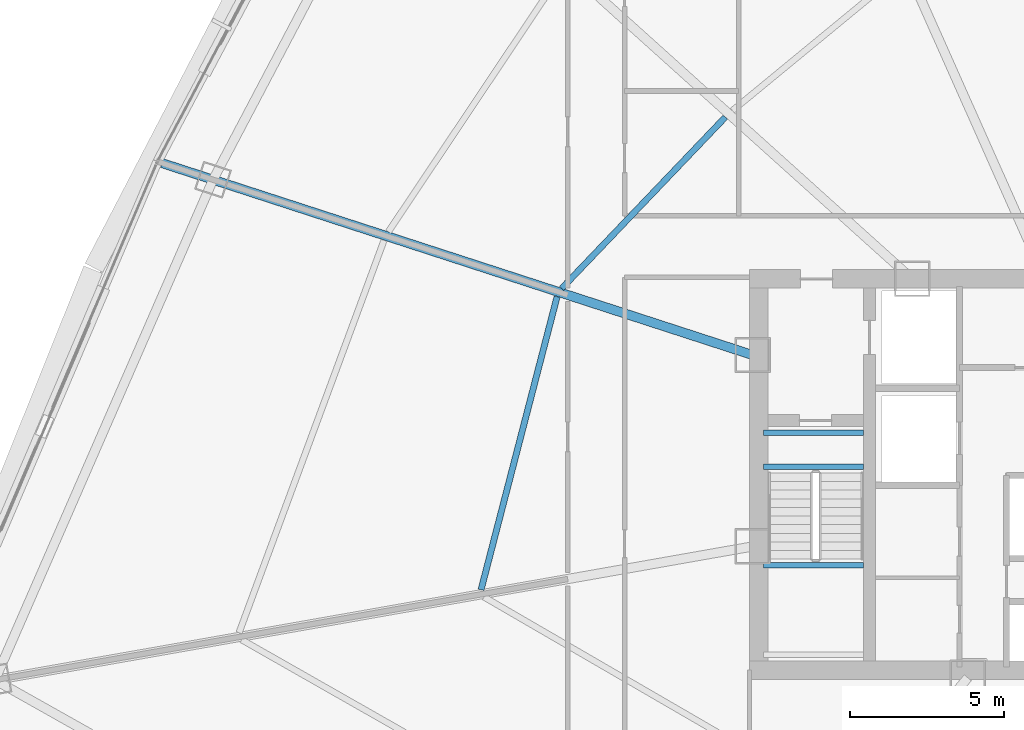
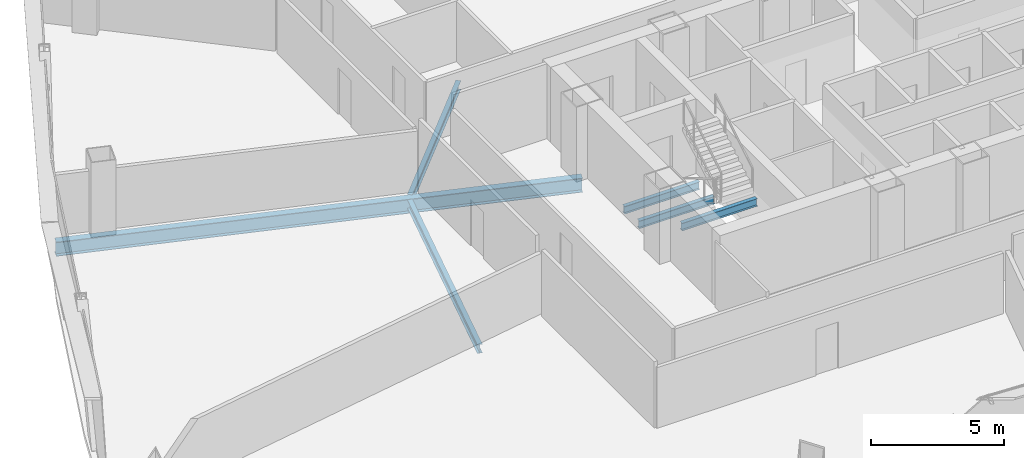
# One storey, part 9 of 42: 6 beams.
"""IFC4 building model written with IfcOpenShell, lengths in metres."""

from ifc_helpers import new_model, si_unit, direction, frame, origin, origin_2d, place, context, subcontext, project, spatial, i_section, extrude, source, transform, mapped, material, material_profile, profile_set, type_object, element, save


model = new_model("IFC4")

# Units and contexts
model_context = context("Model", 3, precision=1e-05, world=origin(), true_north=direction((0.0, 1.0)))
body_context = subcontext(model_context, "Body", "Model", "MODEL_VIEW")
ifc_project = project(units=[si_unit("LENGTHUNIT", "METRE"), si_unit("AREAUNIT", "SQUARE_METRE"), si_unit("VOLUMEUNIT", "CUBIC_METRE"), si_unit("PLANEANGLEUNIT", "RADIAN"), si_unit("MASSUNIT", "GRAM", prefix="KILO"), si_unit("THERMODYNAMICTEMPERATUREUNIT", "KELVIN"), si_unit("POWERUNIT", "WATT")], contexts=[model_context])

# Site, building, storey
site_placement = place(None, origin())
site = spatial("IfcSite", under=ifc_project, at=site_placement, CompositionType="ELEMENT")
building_placement = place(site_placement, origin())
building = spatial("IfcBuilding", under=site, at=building_placement, Name="Yunzhuo Pagoda Commons", CompositionType="ELEMENT")
storey_placement = place(building_placement, frame((0.0, 0.0, 133.510009765625)))
storey = spatial("IfcBuildingStorey", under=building, at=storey_placement, Name="L33", CompositionType="ELEMENT", Elevation=133.510009765625)

# Beams
ifc_material = material(Name="Structural steel Q355B", Category="steel")
ifc_material_profile_1 = material_profile(ifc_material, i_section(OverallWidth=0.175048828125, OverallDepth=0.35009765625, WebThickness=0.007080078125, FlangeThickness=0.010986328125, at=origin_2d()), Name="Structural steel Q355B")
ifc_profile_set_1 = profile_set([ifc_material_profile_1], Name="Structural steel Q355B")
beam_type_1 = type_object("IfcBeamType", Name="B-JS2 Joist HN 350x175x7x11", PredefinedType="JOIST", material=ifc_profile_set_1)
shared_shape_1 = source(origin(), body_context, "Body", "SweptSolid", [
    extrude(i_section(OverallWidth=0.175048828125, OverallDepth=0.35009765625, WebThickness=0.007080078125, FlangeThickness=0.010986328125, at=origin_2d()), origin(), (0.0, 0.0, 1.0), 3.25),
])
for number, where, z_axis, x_axis, name in (
    (1, (35.949951171875, 30.89990234375, 1.465087890625), (1.0, 0.0, 0.0), (0.0, 1.0, 0.0), "L33 ST1 landing support beam 39B"),
    (2, (35.949951171875, 34.10009765625, -0.375), (1.0, 0.0, 0.0), (0.0, 1.0, 0.0), "L33 ST1 landing support beam 137A"),
    (3, (35.949951171875, 35.199951171875, -0.375), (1.0, 0.0, 0.0), (0.0, 1.0, 0.0), "L33 ST1 landing support beam 137B"),
):
    element("IfcBeam", number, at=place(storey_placement, frame(where, z_axis=z_axis, x_axis=x_axis)), inside=storey, type_object=beam_type_1, Name=name, PredefinedType="JOIST", context=body_context, shape_type="MappedRepresentation", body=[
        mapped(shared_shape_1, transform((0.0, 0.0, 0.0), scale=1.0)),
    ])
ifc_material_profile_2 = material_profile(ifc_material, i_section(OverallWidth=0.300048828125, OverallDepth=0.64990234375, WebThickness=0.012939453125, FlangeThickness=0.02197265625, at=origin_2d()), Name="Structural steel Q355B")
ifc_profile_set_2 = profile_set([ifc_material_profile_2], Name="Structural steel Q355B")
beam_type_2 = type_object("IfcBeamType", Name="B-RG2 Beam HN 650x300x13x22", PredefinedType="BEAM", material=ifc_profile_set_2)
shared_shape_2 = source(origin(), body_context, "Body", "SweptSolid", [
    extrude(i_section(OverallWidth=0.300048828125, OverallDepth=0.64990234375, WebThickness=0.012939453125, FlangeThickness=0.02197265625, at=origin_2d()), origin(), (0.0, 0.0, 1.0), 20.159912109375),
])
beam_1_placement = place(storey_placement, frame((16.427001953125, 43.958740234375, -0.5849609375), z_axis=(0.951056226242, -0.309017887067, 0.0), x_axis=(0.309017887067, 0.951056226242, 0.0)))
element("IfcBeam", 4, at=beam_1_placement, inside=storey, type_object=beam_type_2, Name="L33 radial floor girder F3C3", PredefinedType="BEAM", context=body_context, shape_type="MappedRepresentation", body=[
    mapped(shared_shape_2, transform((0.0, 0.0, 0.0), scale=1.0)),
])
ifc_material_profile_3 = material_profile(ifc_material, i_section(OverallWidth=0.199951171875, OverallDepth=0.39990234375, WebThickness=0.008056640625, FlangeThickness=0.012939453125, at=origin_2d()), Name="Structural steel Q355B")
ifc_profile_set_3 = profile_set([ifc_material_profile_3], Name="Structural steel Q355B")
beam_type_3 = type_object("IfcBeamType", Name="B-JS1 Joist HN 400x200x8x13", PredefinedType="JOIST", material=ifc_profile_set_3)
shared_shape_3 = source(origin(), body_context, "Body", "SweptSolid", [
    extrude(i_section(OverallWidth=0.199951171875, OverallDepth=0.39990234375, WebThickness=0.008056640625, FlangeThickness=0.012939453125, at=origin_2d()), origin(), (0.0, 0.0, 1.0), 9.8330078125),
])
beam_2_placement = place(storey_placement, frame((29.254638671875, 39.623779296875, -0.4599609375), z_axis=(-0.251166367041, -0.967943932295, 0.0), x_axis=(0.967943932295, -0.251166367041, 0.0)))
element("IfcBeam", 5, at=beam_2_placement, inside=storey, type_object=beam_type_3, Name="L33 composite ring joist 1.11", PredefinedType="JOIST", context=body_context, shape_type="MappedRepresentation", body=[
    mapped(shared_shape_3, transform((0.0, 0.0, 0.0), scale=1.0)),
])
shared_shape_4 = source(origin(), body_context, "Body", "SweptSolid", [
    extrude(i_section(OverallWidth=0.199951171875, OverallDepth=0.39990234375, WebThickness=0.008056640625, FlangeThickness=0.012939453125, at=origin_2d()), origin(), (0.0, 0.0, 1.0), 7.685546875),
])
beam_3_placement = place(storey_placement, frame((34.714111328125, 45.448974609375, -0.4599609375), z_axis=(-0.690882862648, -0.722966714378, 0.0), x_axis=(0.722966714378, -0.690882862648, 0.0)))
element("IfcBeam", 6, at=beam_3_placement, inside=storey, type_object=beam_type_3, Name="L33 composite ring joist 1.10", PredefinedType="JOIST", context=body_context, shape_type="MappedRepresentation", body=[
    mapped(shared_shape_4, transform((0.0, 0.0, 0.0), scale=1.0)),
])

save(model, "model.ifc")
